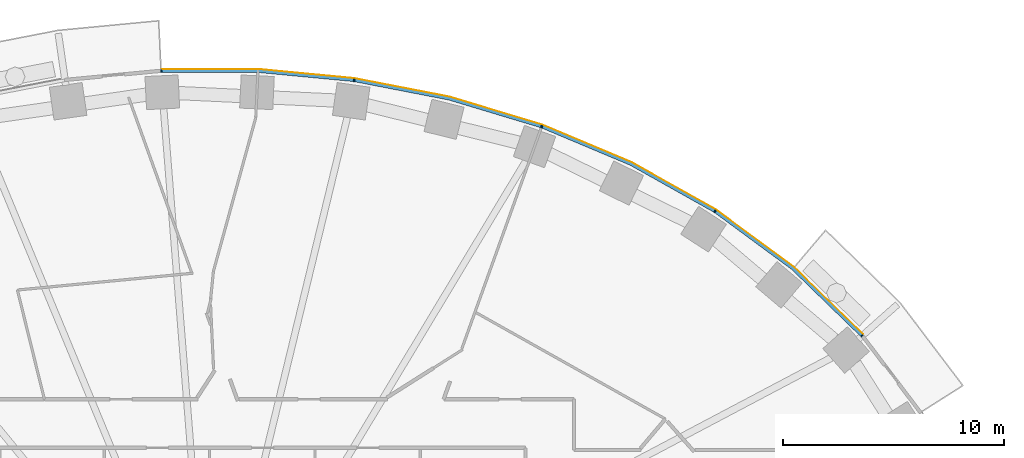
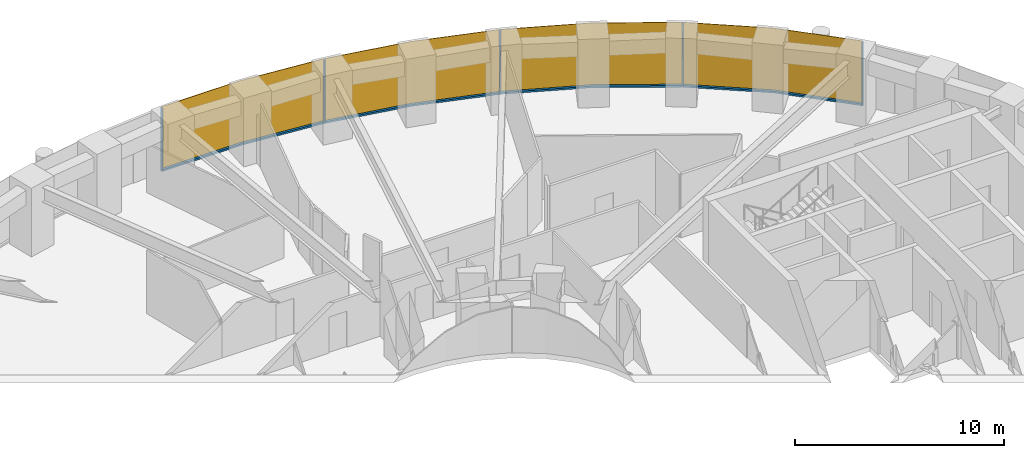
# One storey, part 13 of 16: 9 members, 1 curtain wall.
"""IFC4 building model written with IfcOpenShell, lengths in metres."""

from ifc_helpers import new_model, si_unit, direction, frame, origin, origin_2d, place, context, subcontext, project, spatial, polyline, rectangle, outline, extrude, material, layer, layer_set, material_profile, profile_set, type_object, element, aggregate, save


model = new_model("IFC4")

# Units and contexts
model_context = context("Model", 3, precision=1e-05, world=origin(), true_north=direction((0.0, 1.0)))
body_context = subcontext(model_context, "Body", "Model", "MODEL_VIEW")
ifc_project = project(units=[si_unit("LENGTHUNIT", "METRE"), si_unit("AREAUNIT", "SQUARE_METRE"), si_unit("VOLUMEUNIT", "CUBIC_METRE"), si_unit("PLANEANGLEUNIT", "RADIAN"), si_unit("MASSUNIT", "GRAM", prefix="KILO")], contexts=[model_context])

# Member
ifc_material_1 = material(Name="Aluminium 6063-T6 black anodised", Category="aluminium")
ifc_material_profile = material_profile(ifc_material_1, rectangle(XDim=0.1201171875, YDim=0.06005859375, at=origin_2d()), Name="120x60")
ifc_profile_set = profile_set([ifc_material_profile], Name="Aluminium 6063-T6 black anodised")
member_type_1 = type_object("IfcMemberType", Name="ENV-MULLION-A-120", PredefinedType="MULLION", material=ifc_profile_set)
site_placement = place(None, origin())
building_placement = place(site_placement, origin())
storey_placement = place(building_placement, frame((0.0, 0.0, 42.5)))
member_1_placement = place(storey_placement, frame((29.53857421875, 15.8671875, 0.0), z_axis=(0.0, 0.0, 1.0), x_axis=(-0.749047221705, -0.662516610853, 0.0)))
member_1 = element("IfcMember", 1, at=member_1_placement, type_object=member_type_1, Name="Mullion A radial 05", PredefinedType="MULLION", context=body_context, shape_type="SweptSolid", body=[
    extrude(rectangle(XDim=0.1201171875, YDim=0.06005859375, at=origin_2d()), origin(), (0.0, 0.0, 1.0), 3.699951171875),
])

member_2_placement = place(storey_placement, frame((22.882568359375, 21.506591796875, 0.0), z_axis=(0.0, 0.0, 1.0), x_axis=(-0.542279153225, -0.840198381323, 0.0)))
member_2 = element("IfcMember", 2, at=member_2_placement, type_object=member_type_1, Name="Mullion A radial 07", PredefinedType="MULLION", context=body_context, shape_type="SweptSolid", body=[
    extrude(rectangle(XDim=0.1201171875, YDim=0.06005859375, at=origin_2d()), origin(), (0.0, 0.0, 1.0), 3.699951171875),
])

member_3_placement = place(storey_placement, frame((15.0341796875, 25.34375, 0.0), z_axis=(0.0, 0.0, 1.0), x_axis=(-0.338379256581, -0.941009818608, 0.0)))
member_3 = element("IfcMember", 3, at=member_3_placement, type_object=member_type_1, Name="Mullion A radial 09", PredefinedType="MULLION", context=body_context, shape_type="SweptSolid", body=[
    extrude(rectangle(XDim=0.1201171875, YDim=0.06005859375, at=origin_2d()), origin(), (0.0, 0.0, 1.0), 3.699951171875),
])

member_4_placement = place(storey_placement, frame((6.54638671875, 27.440185546875, 0.0), z_axis=(0.0, 0.0, 1.0), x_axis=(-0.143082012705, -0.989710835366, 0.0)))
member_4 = element("IfcMember", 4, at=member_4_placement, type_object=member_type_1, Name="Mullion A radial 11", PredefinedType="MULLION", context=body_context, shape_type="SweptSolid", body=[
    extrude(rectangle(XDim=0.1201171875, YDim=0.06005859375, at=origin_2d()), origin(), (0.0, 0.0, 1.0), 3.699951171875),
])

member_5_placement = place(storey_placement, frame((-2.188720703125, 27.856201171875, 0.0), z_axis=(0.0, 0.0, 1.0), x_axis=(0.047557873581, -0.998868484166, 0.0)))
member_5 = element("IfcMember", 5, at=member_5_placement, type_object=member_type_1, Name="Mullion A radial 13", PredefinedType="MULLION", context=body_context, shape_type="SweptSolid", body=[
    extrude(rectangle(XDim=0.1201171875, YDim=0.06005859375, at=origin_2d()), origin(), (0.0, 0.0, 1.0), 3.699951171875),
])

ifc_material_2 = material(Name="Aluminium 6063-T6 black anodised", Category="aluminium")
member_type_2 = type_object("IfcMemberType", Name="ENV-TRANSOM-A", PredefinedType="USERDEFINED", material=ifc_material_2)
member_6_placement = place(storey_placement, origin())
member_6 = element("IfcMember", 6, at=member_6_placement, type_object=member_type_2, Name="Transom A radial 05-07", ObjectType="TRANSOM", PredefinedType="USERDEFINED", context=body_context, shape_type="SweptSolid", body=[
    extrude(outline(polyline([(29.5634765625, 15.926513671875), (26.4423828125, 18.958740234375), (22.937744140625, 21.540283203125), (22.87255859375, 21.439208984375), (26.364501953125, 18.866943359375), (29.473388671875, 15.8466796875), (29.5634765625, 15.926513671875)])), origin(), (0.0, 0.0, 1.0), 0.10009765625),
])

member_7_placement = place(storey_placement, origin())
member_7 = element("IfcMember", 7, at=member_7_placement, type_object=member_type_2, Name="Transom A radial 07-09", ObjectType="TRANSOM", PredefinedType="USERDEFINED", context=body_context, shape_type="SweptSolid", body=[
    extrude(outline(polyline([(22.890625, 21.570556640625), (19.093994140625, 23.701416015625), (15.080322265625, 25.389404296875), (15.03955078125, 25.276123046875), (19.041259765625, 23.593505859375), (22.825439453125, 21.469482421875), (22.890625, 21.570556640625)])), origin(), (0.0, 0.0, 1.0), 0.10009765625),
])

member_8_placement = place(storey_placement, origin())
member_8 = element("IfcMember", 8, at=member_8_placement, type_object=member_type_2, Name="Transom A radial 09-11", ObjectType="TRANSOM", PredefinedType="USERDEFINED", context=body_context, shape_type="SweptSolid", body=[
    extrude(outline(polyline([(15.027587890625, 25.408203125), (10.857666015625, 26.6630859375), (6.58251953125, 27.494140625), (6.5654296875, 27.375244140625), (10.828857421875, 26.54638671875), (14.987060546875, 25.295166015625), (15.027587890625, 25.408203125)])), origin(), (0.0, 0.0, 1.0), 0.10009765625),
])

member_9_placement = place(storey_placement, origin())
member_9 = element("IfcMember", 9, at=member_9_placement, type_object=member_type_2, Name="Transom A radial 11-13", ObjectType="TRANSOM", PredefinedType="USERDEFINED", context=body_context, shape_type="SweptSolid", body=[
    extrude(outline(polyline([(6.527099609375, 27.502197265625), (2.191650390625, 27.916015625), (-2.163818359375, 27.916015625), (-2.157958984375, 27.7958984375), (2.185791015625, 27.7958984375), (6.510009765625, 27.38330078125), (6.527099609375, 27.502197265625)])), origin(), (0.0, 0.0, 1.0), 0.10009765625),
])

# Site, building, storey
site = spatial("IfcSite", under=ifc_project, at=site_placement, CompositionType="ELEMENT")
building = spatial("IfcBuilding", under=site, at=building_placement, Name="Noorbagh Ring Tower", CompositionType="ELEMENT")
storey = spatial("IfcBuildingStorey", under=building, at=storey_placement, Name="L08", CompositionType="ELEMENT", Elevation=42.5)

# Curtain wall
ifc_material_3 = material(Name="Glass dark tinted laminated", Category="glass")
ifc_layer = layer(ifc_material_3, 0.031982421875)
ifc_layer_set = layer_set([ifc_layer], Name="Glass dark tinted laminated")
curtain_wall_type = type_object("IfcCurtainWallType", Name="ENV-CW-A", PredefinedType="NOTDEFINED", material=ifc_layer_set)
curtain_wall_placement = place(storey_placement, origin())
curtain_wall = element("IfcCurtainWall", 10, at=curtain_wall_placement, inside=storey, type_object=curtain_wall_type, Name="Curtain wall A R05", PredefinedType="NOTDEFINED", context=body_context, shape_type="SweptSolid", body=[
    extrude(outline(polyline([(29.59326171875, 15.942138671875), (26.463134765625, 18.9833984375), (22.9326171875, 21.583740234375), (19.108154296875, 23.730224609375), (15.065185546875, 25.430419921875), (10.865234375, 26.6943359375), (6.559814453125, 27.53125), (2.193115234375, 27.947998046875), (-2.173095703125, 27.947998046875), (-2.171630859375, 27.916015625), (2.191650390625, 27.916015625), (6.55517578125, 27.49951171875), (10.857666015625, 26.6630859375), (15.054443359375, 25.400146484375), (19.093994140625, 23.701416015625), (22.9150390625, 21.556884765625), (26.4423828125, 18.958740234375), (29.569091796875, 15.9208984375), (29.59326171875, 15.942138671875)])), origin(), (0.0, 0.0, 1.0), 3.699951171875),
])

aggregate(curtain_wall, [member_1, member_2, member_3, member_4, member_5, member_6, member_7, member_8, member_9])

save(model, "model.ifc")
